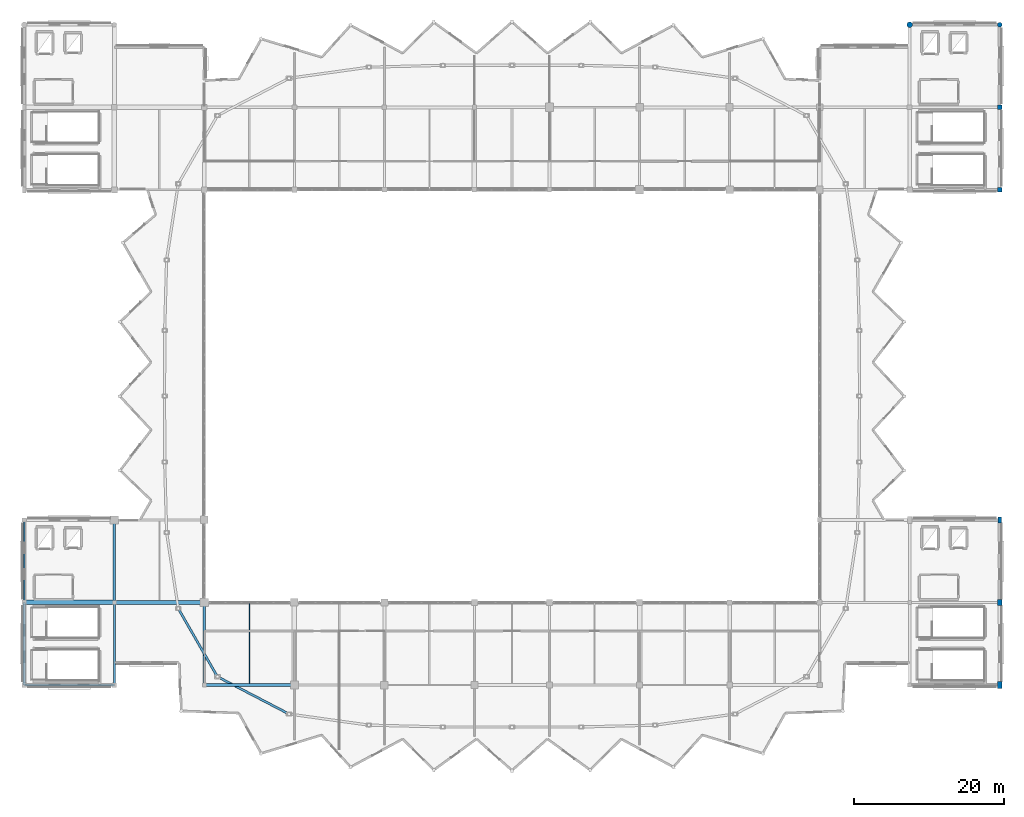
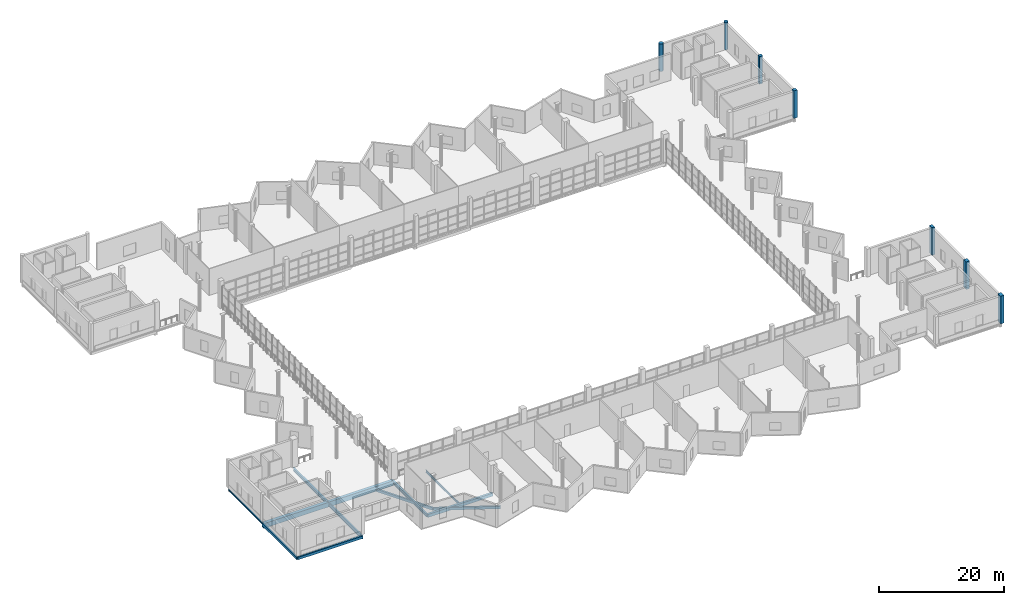
# One storey, part 10 of 49: 12 beams, 7 columns.
"""IFC4 building model written with IfcOpenShell, lengths in metres."""

from ifc_helpers import new_model, si_unit, direction, frame, origin, origin_2d, place, context, subcontext, project, spatial, rectangle, hollow_rectangle, circle, i_section, extrude, material, material_profile, profile_set, type_object, element, save


model = new_model("IFC4")

# Units and contexts
model_context = context("Model", 3, precision=1e-05, world=origin(), true_north=direction((0.0, 1.0)))
body_context = subcontext(model_context, "Body", "Model", "MODEL_VIEW")
ifc_project = project(units=[si_unit("LENGTHUNIT", "METRE"), si_unit("AREAUNIT", "SQUARE_METRE"), si_unit("VOLUMEUNIT", "CUBIC_METRE"), si_unit("PLANEANGLEUNIT", "RADIAN"), si_unit("MASSUNIT", "GRAM", prefix="KILO")], contexts=[model_context])

# Site, building, storey
site_placement = place(None, origin())
site = spatial("IfcSite", under=ifc_project, at=site_placement, CompositionType="ELEMENT")
building_placement = place(site_placement, origin())
building = spatial("IfcBuilding", under=site, at=building_placement, Name="Luwafu Chhajja Arena", CompositionType="ELEMENT")
storey_placement = place(building_placement, frame((0.0, 0.0, 24.300048828125)))
storey = spatial("IfcBuildingStorey", under=building, at=storey_placement, Name="L05", CompositionType="ELEMENT", Elevation=24.300048828125)

# Columns
ifc_material_1 = material(Name="Concrete C35/45", Category="concrete")
ifc_material_profile_1 = material_profile(ifc_material_1, rectangle(XDim=0.5, YDim=0.800048828125, at=origin_2d()), Name="RC 500x800")
ifc_profile_set_1 = profile_set([ifc_material_profile_1], Name="Concrete C35/45")
column_type_1 = type_object("IfcColumnType", Name="BOH Frame Column RC 500x800", PredefinedType="COLUMN", material=ifc_profile_set_1)
column_1_placement = place(storey_placement, frame((164.0, 33.0, 0.0), z_axis=(0.0, 0.0, 1.0), x_axis=(1.0, 0.0, 0.0)))
element("IfcColumn", 1, at=column_1_placement, inside=storey, type_object=column_type_1, Name="L05 Grid Column 15/D", PredefinedType="COLUMN", context=body_context, shape_type="SweptSolid", body=[
    extrude(rectangle(XDim=0.5, YDim=0.800048828125, at=origin_2d()), origin(), (0.0, 0.0, 1.0), 5.39990234375),
])
ifc_material_profile_2 = material_profile(ifc_material_1, circle(Radius=0.375, at=origin_2d()), Name="RC COL D750")
ifc_profile_set_2 = profile_set([ifc_material_profile_2], Name="Concrete C35/45")
column_type_2 = type_object("IfcColumnType", Name="Charbagh Cloister Pier D750", PredefinedType="COLUMN", material=ifc_profile_set_2)
column_2_placement = place(storey_placement, frame((152.0, 99.0, 0.0), z_axis=(0.0, 0.0, 1.0), x_axis=(1.0, 0.0, 0.0)))
element("IfcColumn", 2, at=column_2_placement, inside=storey, type_object=column_type_2, Name="L05 Grid Column 14/K", PredefinedType="COLUMN", context=body_context, shape_type="SweptSolid", body=[
    extrude(circle(Radius=0.375, at=origin_2d()), origin(), (0.0, 0.0, 1.0), 5.39990234375),
])
ifc_material_profile_3 = material_profile(ifc_material_1, circle(Radius=0.324951171875, at=origin_2d()), Name="RC COL D650")
ifc_profile_set_3 = profile_set([ifc_material_profile_3], Name="Concrete C35/45")
column_type_3 = type_object("IfcColumnType", Name="Courtyard Arcade Pier D650", PredefinedType="COLUMN", material=ifc_profile_set_3)
column_3_placement = place(storey_placement, frame((164.0, 99.0, 0.0), z_axis=(0.0, 0.0, 1.0), x_axis=(1.0, 0.0, 0.0)))
element("IfcColumn", 3, at=column_3_placement, inside=storey, type_object=column_type_3, Name="L05 Grid Column 15/K", PredefinedType="COLUMN", context=body_context, shape_type="SweptSolid", body=[
    extrude(circle(Radius=0.324951171875, at=origin_2d()), origin(), (0.0, 0.0, 1.0), 5.39990234375),
])
ifc_material_profile_4 = material_profile(ifc_material_1, rectangle(XDim=0.550048828125, YDim=0.550048828125, at=origin_2d()), Name="RC 550x550")
ifc_profile_set_4 = profile_set([ifc_material_profile_4], Name="Concrete C35/45")
column_type_4 = type_object("IfcColumnType", Name="Gallery Column RC 550", PredefinedType="COLUMN", material=ifc_profile_set_4)
column_4_placement = place(storey_placement, frame((164.0, 88.0, 0.0), z_axis=(0.0, 0.0, 1.0), x_axis=(1.0, 0.0, 0.0)))
element("IfcColumn", 4, at=column_4_placement, inside=storey, type_object=column_type_4, Name="L05 Grid Column 15/J", PredefinedType="COLUMN", context=body_context, shape_type="SweptSolid", body=[
    extrude(rectangle(XDim=0.550048828125, YDim=0.550048828125, at=origin_2d()), origin(), (0.0, 0.0, 1.0), 5.39990234375),
])
ifc_material_profile_5 = material_profile(ifc_material_1, rectangle(XDim=0.60009765625, YDim=0.60009765625, at=origin_2d()), Name="RC 600x600")
ifc_profile_set_5 = profile_set([ifc_material_profile_5], Name="Concrete C35/45")
column_type_5 = type_object("IfcColumnType", Name="Mezzanine Column RC 600", PredefinedType="COLUMN", material=ifc_profile_set_5)
column_5_placement = place(storey_placement, frame((164.0, 77.0, 0.0), z_axis=(0.0, 0.0, 1.0), x_axis=(1.0, 0.0, 0.0)))
element("IfcColumn", 5, at=column_5_placement, inside=storey, type_object=column_type_5, Name="L05 Grid Column 15/H", PredefinedType="COLUMN", context=body_context, shape_type="SweptSolid", body=[
    extrude(rectangle(XDim=0.60009765625, YDim=0.60009765625, at=origin_2d()), origin(), (0.0, 0.0, 1.0), 5.39990234375),
])
ifc_material_2 = material(Name="Concrete C40/50", Category="concrete")
ifc_material_profile_6 = material_profile(ifc_material_2, rectangle(XDim=0.60009765625, YDim=0.800048828125, at=origin_2d()), Name="RC 600x800")
ifc_profile_set_6 = profile_set([ifc_material_profile_6], Name="Concrete C40/50")
column_type_6 = type_object("IfcColumnType", Name="Pishtaq Pier Column RC 600x800", PredefinedType="COLUMN", material=ifc_profile_set_6)
column_6_placement = place(storey_placement, frame((164.0, 22.0, 0.0), z_axis=(0.0, 0.0, 1.0), x_axis=(1.0, 0.0, 0.0)))
element("IfcColumn", 6, at=column_6_placement, inside=storey, type_object=column_type_6, Name="L05 Grid Column 15/C", PredefinedType="COLUMN", context=body_context, shape_type="SweptSolid", body=[
    extrude(rectangle(XDim=0.60009765625, YDim=0.800048828125, at=origin_2d()), origin(), (0.0, 0.0, 1.0), 5.39990234375),
])
ifc_material_profile_7 = material_profile(ifc_material_2, rectangle(XDim=0.60009765625, YDim=0.89990234375, at=origin_2d()), Name="RC 600x900")
ifc_profile_set_7 = profile_set([ifc_material_profile_7], Name="Concrete C40/50")
column_type_7 = type_object("IfcColumnType", Name="Warm-Up Hall Portal Column RC 600x900", PredefinedType="COLUMN", material=ifc_profile_set_7)
column_7_placement = place(storey_placement, frame((164.0, 11.0, 0.0), z_axis=(0.0, 0.0, 1.0), x_axis=(1.0, 0.0, 0.0)))
element("IfcColumn", 7, at=column_7_placement, inside=storey, type_object=column_type_7, Name="L05 Grid Column 15/B", PredefinedType="COLUMN", context=body_context, shape_type="SweptSolid", body=[
    extrude(rectangle(XDim=0.60009765625, YDim=0.89990234375, at=origin_2d()), origin(), (0.0, 0.0, 1.0), 5.39990234375),
])

# Beams
ifc_material_3 = material(Name="Steel S355", Category="steel")
ifc_material_profile_8 = material_profile(ifc_material_3, i_section(OverallWidth=0.165771484375, OverallDepth=0.306640625, WebThickness=0.006591796875, FlangeThickness=0.01171875, at=origin_2d()), Name="UB 305x165x46")
ifc_profile_set_8 = profile_set([ifc_material_profile_8], Name="Steel S355")
beam_type_1 = type_object("IfcBeamType", Name="Concourse Edge Spandrel Beam UB 305x165x46", PredefinedType="SPANDREL", material=ifc_profile_set_8)
beam_1_placement = place(storey_placement, frame((34.0, 22.0, -0.54345703125), z_axis=(0.0, 1.0, 0.0), x_axis=(-1.0, 0.0, 0.0)))
element("IfcBeam", 8, at=beam_1_placement, inside=storey, type_object=beam_type_1, Name="L05 Grid Beam 4/C-D", PredefinedType="SPANDREL", context=body_context, shape_type="SweptSolid", body=[
    extrude(i_section(OverallWidth=0.165771484375, OverallDepth=0.306640625, WebThickness=0.006591796875, FlangeThickness=0.01171875, at=origin_2d()), origin(), (0.0, 0.0, 1.0), 11.0),
])
ifc_material_profile_9 = material_profile(ifc_material_1, rectangle(XDim=0.60009765625, YDim=0.89990234375, at=origin_2d()), Name="RC 600x900")
ifc_profile_set_9 = profile_set([ifc_material_profile_9], Name="Concrete C35/45")
beam_type_2 = type_object("IfcBeamType", Name="Concourse Primary Girder RC 600x900", PredefinedType="BEAM", material=ifc_profile_set_9)
beam_2_placement = place(storey_placement, frame((34.0, 22.0, -0.840087890625), z_axis=(1.0, 0.0, 0.0), x_axis=(0.0, 1.0, 0.0)))
element("IfcBeam", 9, at=beam_2_placement, inside=storey, type_object=beam_type_2, Name="L05 Grid Beam 4-5/C", PredefinedType="BEAM", context=body_context, shape_type="SweptSolid", body=[
    extrude(rectangle(XDim=0.60009765625, YDim=0.89990234375, at=origin_2d()), origin(), (0.0, 0.0, 1.0), 12.0),
])
ifc_material_profile_10 = material_profile(ifc_material_1, rectangle(XDim=0.550048828125, YDim=0.949951171875, at=origin_2d()), Name="RC 550x950")
ifc_profile_set_10 = profile_set([ifc_material_profile_10], Name="Concrete C35/45")
beam_type_3 = type_object("IfcBeamType", Name="Concourse Radial Girder RC 550x950", PredefinedType="BEAM", material=ifc_profile_set_10)
beam_3_placement = place(storey_placement, frame((46.0, 22.0, -0.864990234375), z_axis=(1.0, 0.0, 0.0), x_axis=(0.0, 1.0, 0.0)))
element("IfcBeam", 10, at=beam_3_placement, inside=storey, type_object=beam_type_3, Name="L05 Grid Beam 5-6/C", PredefinedType="BEAM", context=body_context, shape_type="SweptSolid", body=[
    extrude(rectangle(XDim=0.550048828125, YDim=0.949951171875, at=origin_2d()), origin(), (0.0, 0.0, 1.0), 12.0),
])
ifc_material_profile_11 = material_profile(ifc_material_3, i_section(OverallWidth=0.15283203125, OverallDepth=0.45458984375, WebThickness=0.008056640625, FlangeThickness=0.01318359375, at=origin_2d()), Name="UB 457x152x60")
ifc_profile_set_11 = profile_set([ifc_material_profile_11], Name="Steel S355")
beam_type_4 = type_object("IfcBeamType", Name="Floor Joist UB 457x152x60", PredefinedType="JOIST", material=ifc_profile_set_11)
beam_4_placement = place(storey_placement, frame((64.0, 11.199951171875, -0.617431640625), z_axis=(0.0, 1.0, 0.0), x_axis=(-1.0, 0.0, 0.0)))
element("IfcBeam", 11, at=beam_4_placement, inside=storey, type_object=beam_type_4, Name="L05 Secondary Joist 6-7/B", PredefinedType="JOIST", context=body_context, shape_type="SweptSolid", body=[
    extrude(i_section(OverallWidth=0.15283203125, OverallDepth=0.45458984375, WebThickness=0.008056640625, FlangeThickness=0.01318359375, at=origin_2d()), origin(), (0.0, 0.0, 1.0), 10.650146484375),
])
ifc_material_profile_12 = material_profile(ifc_material_3, hollow_rectangle(XDim=0.300048828125, YDim=0.5, WallThickness=0.02001953125, at=origin_2d()), Name="RHS 500x300x20")
ifc_profile_set_12 = profile_set([ifc_material_profile_12], Name="Steel S355")
beam_type_5 = type_object("IfcBeamType", Name="Pleated Drum Spandrel Beam RHS 500x300", PredefinedType="SPANDREL", material=ifc_profile_set_12)
beam_5_placement = place(storey_placement, frame((34.0, 11.0, -0.64013671875), z_axis=(1.0, 0.0, 0.0), x_axis=(0.0, 1.0, 0.0)))
element("IfcBeam", 12, at=beam_5_placement, inside=storey, type_object=beam_type_5, Name="L05 Grid Beam 4-5/B", PredefinedType="SPANDREL", context=body_context, shape_type="SweptSolid", body=[
    extrude(hollow_rectangle(XDim=0.300048828125, YDim=0.5, WallThickness=0.02001953125, at=origin_2d()), origin(), (0.0, 0.0, 1.0), 12.0),
])
beam_6_placement = place(storey_placement, frame((34.0, 11.0, -0.64013671875), z_axis=(0.0, 1.0, 0.0), x_axis=(-1.0, 0.0, 0.0)))
element("IfcBeam", 13, at=beam_6_placement, inside=storey, type_object=beam_type_5, Name="L05 Grid Beam 4/B-C", PredefinedType="SPANDREL", context=body_context, shape_type="SweptSolid", body=[
    extrude(hollow_rectangle(XDim=0.300048828125, YDim=0.5, WallThickness=0.02001953125, at=origin_2d()), origin(), (0.0, 0.0, 1.0), 11.0),
])
beam_7_placement = place(storey_placement, frame((54.52392578125, 21.194091796875, -0.64013671875), z_axis=(0.498192671921, -0.867066353657, 0.0), x_axis=(0.867066353657, 0.498192671921, 0.0)))
element("IfcBeam", 14, at=beam_7_placement, inside=storey, type_object=beam_type_5, Name="L05 Drum Ring Spandrel D20-D21", PredefinedType="SPANDREL", context=body_context, shape_type="SweptSolid", body=[
    extrude(hollow_rectangle(XDim=0.300048828125, YDim=0.5, WallThickness=0.02001953125, at=origin_2d()), origin(), (0.0, 0.0, 1.0), 10.477783203125),
])
beam_8_placement = place(storey_placement, frame((59.743896484375, 12.109130859375, -0.64013671875), z_axis=(0.886755170812, -0.462239404463, 0.0), x_axis=(0.462239404463, 0.886755170812, 0.0)))
element("IfcBeam", 15, at=beam_8_placement, inside=storey, type_object=beam_type_5, Name="L05 Drum Ring Spandrel D21-D22", PredefinedType="SPANDREL", context=body_context, shape_type="SweptSolid", body=[
    extrude(hollow_rectangle(XDim=0.300048828125, YDim=0.5, WallThickness=0.02001953125, at=origin_2d()), origin(), (0.0, 0.0, 1.0), 10.756103515625),
])
ifc_material_profile_13 = material_profile(ifc_material_1, rectangle(XDim=0.39990234375, YDim=0.60009765625, at=origin_2d()), Name="RC 400x600")
ifc_profile_set_13 = profile_set([ifc_material_profile_13], Name="Concrete C35/45")
beam_type_6 = type_object("IfcBeamType", Name="Podium Perimeter Spandrel RC 400x600", PredefinedType="SPANDREL", material=ifc_profile_set_13)
beam_9_placement = place(storey_placement, frame((58.0, 11.0, -0.68994140625), z_axis=(1.0, 0.0, 0.0), x_axis=(0.0, 1.0, 0.0)))
element("IfcBeam", 16, at=beam_9_placement, inside=storey, type_object=beam_type_6, Name="L05 Grid Beam 6-7/B", PredefinedType="SPANDREL", context=body_context, shape_type="SweptSolid", body=[
    extrude(rectangle(XDim=0.39990234375, YDim=0.60009765625, at=origin_2d()), origin(), (0.0, 0.0, 1.0), 12.0),
])
ifc_material_profile_14 = material_profile(ifc_material_3, i_section(OverallWidth=0.253662109375, OverallDepth=0.68359375, WebThickness=0.012451171875, FlangeThickness=0.01904296875, at=origin_2d()), Name="UB 686x254x140")
ifc_profile_set_14 = profile_set([ifc_material_profile_14], Name="Steel S355")
beam_type_7 = type_object("IfcBeamType", Name="Steel Concourse Girder UB 686x254x140", PredefinedType="BEAM", material=ifc_profile_set_14)
beam_10_placement = place(storey_placement, frame((46.0, 11.0, -0.73193359375), z_axis=(0.0, 1.0, 0.0), x_axis=(-1.0, 0.0, 0.0)))
element("IfcBeam", 17, at=beam_10_placement, inside=storey, type_object=beam_type_7, Name="L05 Grid Beam 5/B-C", PredefinedType="BEAM", context=body_context, shape_type="SweptSolid", body=[
    extrude(i_section(OverallWidth=0.253662109375, OverallDepth=0.68359375, WebThickness=0.012451171875, FlangeThickness=0.01904296875, at=origin_2d()), origin(), (0.0, 0.0, 1.0), 11.0),
])
ifc_material_profile_15 = material_profile(ifc_material_3, i_section(OverallWidth=0.300048828125, OverallDepth=0.60009765625, WebThickness=0.015380859375, FlangeThickness=0.030029296875, at=origin_2d()), Name="HEB 600")
ifc_profile_set_15 = profile_set([ifc_material_profile_15], Name="Steel S355")
beam_type_8 = type_object("IfcBeamType", Name="Steel Gallery Girder HEB 600", PredefinedType="BEAM", material=ifc_profile_set_15)
beam_11_placement = place(storey_placement, frame((58.0, 11.0, -0.68994140625), z_axis=(0.0, 1.0, 0.0), x_axis=(-1.0, 0.0, 0.0)))
element("IfcBeam", 18, at=beam_11_placement, inside=storey, type_object=beam_type_8, Name="L05 Grid Beam 6/B-C", PredefinedType="BEAM", context=body_context, shape_type="SweptSolid", body=[
    extrude(i_section(OverallWidth=0.300048828125, OverallDepth=0.60009765625, WebThickness=0.015380859375, FlangeThickness=0.030029296875, at=origin_2d()), origin(), (0.0, 0.0, 1.0), 11.0),
])
ifc_material_profile_16 = material_profile(ifc_material_3, i_section(OverallWidth=0.30712890625, OverallDepth=0.6201171875, WebThickness=0.01416015625, FlangeThickness=0.023681640625, at=origin_2d()), Name="UB 610x305x179")
ifc_profile_set_16 = profile_set([ifc_material_profile_16], Name="Steel S355")
beam_type_9 = type_object("IfcBeamType", Name="Steel Hospitality Girder UB 610x305x179", PredefinedType="BEAM", material=ifc_profile_set_16)
beam_12_placement = place(storey_placement, frame((46.0, 22.0, -0.7001953125), z_axis=(0.0, 1.0, 0.0), x_axis=(-1.0, 0.0, 0.0)))
element("IfcBeam", 19, at=beam_12_placement, inside=storey, type_object=beam_type_9, Name="L05 Grid Beam 5/C-D", PredefinedType="BEAM", context=body_context, shape_type="SweptSolid", body=[
    extrude(i_section(OverallWidth=0.30712890625, OverallDepth=0.6201171875, WebThickness=0.01416015625, FlangeThickness=0.023681640625, at=origin_2d()), origin(), (0.0, 0.0, 1.0), 11.0),
])

save(model, "model.ifc")
